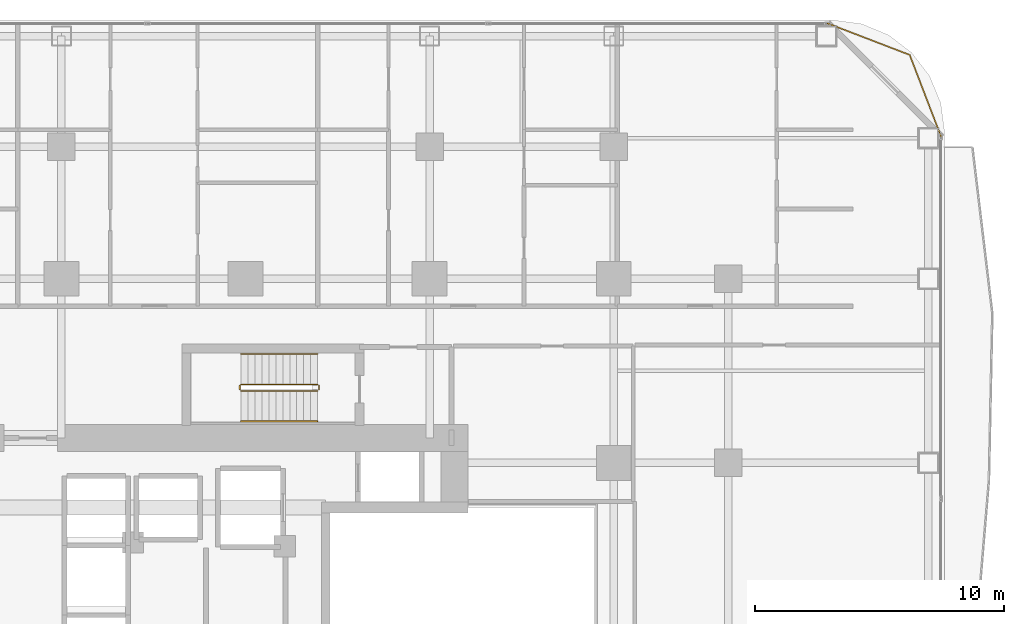
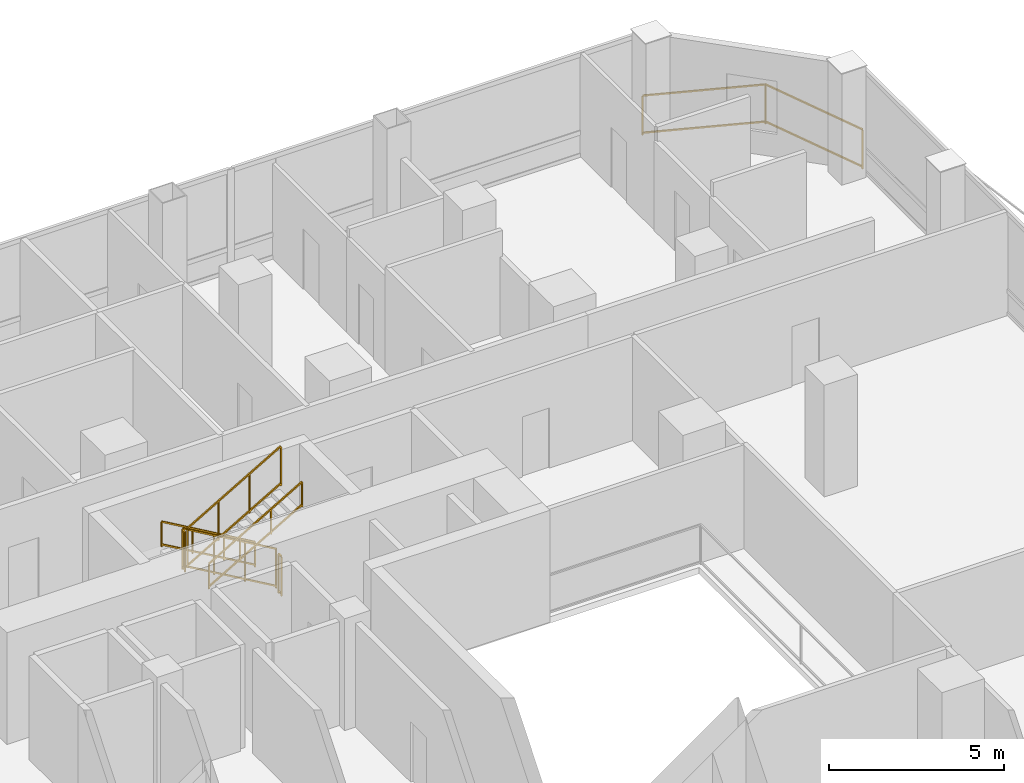
# One storey, part 27 of 27: 7 railings.
"""IFC4 building model written with IfcOpenShell, lengths in metres."""

from ifc_helpers import new_model, si_unit, direction, frame, origin, origin_2d, place, context, subcontext, project, spatial, rectangle, extrude, material, type_object, element, save


model = new_model("IFC4")

# Units and contexts
model_context = context("Model", 3, precision=1e-05, world=origin(), true_north=direction((0.0, 1.0)))
body_context = subcontext(model_context, "Body", "Model", "MODEL_VIEW")
ifc_project = project(units=[si_unit("LENGTHUNIT", "METRE"), si_unit("AREAUNIT", "SQUARE_METRE"), si_unit("VOLUMEUNIT", "CUBIC_METRE"), si_unit("PLANEANGLEUNIT", "RADIAN"), si_unit("MASSUNIT", "GRAM", prefix="KILO")], contexts=[model_context])

# Site, building, storey
site_placement = place(None, origin())
site = spatial("IfcSite", under=ifc_project, at=site_placement, CompositionType="ELEMENT")
building_placement = place(site_placement, origin())
building = spatial("IfcBuilding", under=site, at=building_placement, Name="Khorvyn Point Tower", CompositionType="ELEMENT")
storey_placement = place(building_placement, frame((0.0, 0.0, 50.10009765625)))
storey = spatial("IfcBuildingStorey", under=building, at=storey_placement, Name="L13", CompositionType="ELEMENT", Elevation=50.10009765625)

# Railings
ifc_material_1 = material(Name="Anodised aluminium 6063-T6 and laminated safety glass", Category="aluminium")
railing_type_1 = type_object("IfcRailingType", Name="Laminated Glass and Aluminium Balcony Guardrail 1400", PredefinedType="BALUSTRADE", material=ifc_material_1)
railing_1_placement = place(storey_placement, frame((27.97412109375, 20.470703125, 0.0)))
element("IfcRailing", 1, at=railing_1_placement, inside=storey, type_object=railing_type_1, Name="L13 Rounded Corner Edge Guardrail NE", PredefinedType="BALUSTRADE", context=body_context, shape_type="SweptSolid", body=[
    extrude(rectangle(XDim=0.048095703125, YDim=0.048095703125, at=origin_2d()), frame((0.0, 0.0, 1.3759765625), z_axis=(-0.35841886047, 0.933560882031, 0.0), x_axis=(-0.933560882031, -0.35841886047, 0.0)), (0.0, 0.0, 1.0), 3.563232421875),
    extrude(rectangle(XDim=0.048095703125, YDim=0.048095703125, at=origin_2d()), frame((0.0, 0.0, 0.080078125), z_axis=(-0.35841886047, 0.933560882031, 0.0), x_axis=(-0.933560882031, -0.35841886047, 0.0)), (0.0, 0.0, 1.0), 3.563232421875),
    extrude(rectangle(XDim=0.048095703125, YDim=0.048095703125, at=origin_2d()), frame((-1.277099609375, 3.326416015625, 1.3759765625), z_axis=(-0.933575007025, 0.358382067435, 0.0), x_axis=(-0.358382067435, -0.933575007025, 0.0)), (0.0, 0.0, 1.0), 3.562744140625),
    extrude(rectangle(XDim=0.048095703125, YDim=0.048095703125, at=origin_2d()), frame((-1.277099609375, 3.326416015625, 0.080078125), z_axis=(-0.933575007025, 0.358382067435, 0.0), x_axis=(-0.358382067435, -0.933575007025, 0.0)), (0.0, 0.0, 1.0), 3.562744140625),
    extrude(rectangle(XDim=0.0419921875, YDim=0.0419921875, at=origin_2d()), origin(), (0.0, 0.0, 1.0), 1.351806640625),
    extrude(rectangle(XDim=0.0419921875, YDim=0.0419921875, at=origin_2d()), frame((-1.277099609375, 3.326416015625, 0.0)), (0.0, 0.0, 1.0), 1.351806640625),
    extrude(rectangle(XDim=0.0419921875, YDim=0.0419921875, at=origin_2d()), frame((-4.603271484375, 4.603271484375, 0.0)), (0.0, 0.0, 1.0), 1.351806640625),
])
ifc_material_2 = material(Name="Stainless steel 1.4301", Category="steel")
railing_type_2 = type_object("IfcRailingType", Name="Stainless Steel 304 Stair Pitch Handrail 900", PredefinedType="HANDRAIL", material=ifc_material_2)
railing_2_placement = place(storey_placement, frame((2.89990234375, 11.77001953125, 0.162353515625)))
element("IfcRailing", 2, at=railing_2_placement, inside=storey, type_object=railing_type_2, Name="L13 ST-02 stair handrail 1", PredefinedType="HANDRAIL", context=body_context, shape_type="SweptSolid", body=[
    extrude(rectangle(XDim=0.048095703125, YDim=0.048095703125, at=origin_2d()), frame((0.0, 0.0, 0.8759765625), z_axis=(-0.864873446163, 0.0, 0.501989962173), x_axis=(0.0, -1.0, 0.0)), (0.0, 0.0, 1.0), 3.56103515625),
    extrude(rectangle(XDim=0.048095703125, YDim=0.048095703125, at=origin_2d()), frame((0.0, 0.0, 0.080078125), z_axis=(-0.864873446163, 0.0, 0.501989962173), x_axis=(0.0, -1.0, 0.0)), (0.0, 0.0, 1.0), 3.56103515625),
    extrude(rectangle(XDim=0.0419921875, YDim=0.0419921875, at=origin_2d()), origin(), (0.0, 0.0, 1.0), 0.851806640625),
    extrude(rectangle(XDim=0.0419921875, YDim=0.0419921875, at=origin_2d()), frame((-1.026611328125, 0.0, 0.595947265625)), (0.0, 0.0, 1.0), 0.851806640625),
    extrude(rectangle(XDim=0.0419921875, YDim=0.0419921875, at=origin_2d()), frame((-2.05322265625, 0.0, 1.191650390625)), (0.0, 0.0, 1.0), 0.851806640625),
    extrude(rectangle(XDim=0.0419921875, YDim=0.0419921875, at=origin_2d()), frame((-3.079833984375, 0.0, 1.78759765625)), (0.0, 0.0, 1.0), 0.851806640625),
])
railing_3_placement = place(storey_placement, frame((-0.179931640625, 9.070068359375, 2.1123046875)))
element("IfcRailing", 3, at=railing_3_placement, inside=storey, type_object=railing_type_2, Name="L13 ST-02 stair handrail 2", PredefinedType="HANDRAIL", context=body_context, shape_type="SweptSolid", body=[
    extrude(rectangle(XDim=0.048095703125, YDim=0.048095703125, at=origin_2d()), frame((0.0, 0.0, 0.8759765625), z_axis=(0.864873446163, 0.0, 0.501989962173), x_axis=(0.0, 1.0, 0.0)), (0.0, 0.0, 1.0), 3.56103515625),
    extrude(rectangle(XDim=0.048095703125, YDim=0.048095703125, at=origin_2d()), frame((0.0, 0.0, 0.080078125), z_axis=(0.864873446163, 0.0, 0.501989962173), x_axis=(0.0, 1.0, 0.0)), (0.0, 0.0, 1.0), 3.56103515625),
    extrude(rectangle(XDim=0.0419921875, YDim=0.0419921875, at=origin_2d()), origin(), (0.0, 0.0, 1.0), 0.851806640625),
    extrude(rectangle(XDim=0.0419921875, YDim=0.0419921875, at=origin_2d()), frame((1.026611328125, 0.0, 0.595947265625)), (0.0, 0.0, 1.0), 0.851806640625),
    extrude(rectangle(XDim=0.0419921875, YDim=0.0419921875, at=origin_2d()), frame((2.05322265625, 0.0, 1.191650390625)), (0.0, 0.0, 1.0), 0.851806640625),
    extrude(rectangle(XDim=0.0419921875, YDim=0.0419921875, at=origin_2d()), frame((3.079833984375, 0.0, 1.78759765625)), (0.0, 0.0, 1.0), 0.851806640625),
])
railing_type_3 = type_object("IfcRailingType", Name="Stainless Steel 304 Stair Well Guardrail 1400", PredefinedType="GUARDRAIL", material=ifc_material_2)
railing_4_placement = place(storey_placement, frame((2.89990234375, 10.550048828125, 0.162353515625)))
element("IfcRailing", 4, at=railing_4_placement, inside=storey, type_object=railing_type_3, Name="L13 ST-02 stair guard 1", PredefinedType="GUARDRAIL", context=body_context, shape_type="SweptSolid", body=[
    extrude(rectangle(XDim=0.048095703125, YDim=0.048095703125, at=origin_2d()), frame((0.0, 0.0, 1.3759765625), z_axis=(-0.864873446163, 0.0, 0.501989962173), x_axis=(0.0, -1.0, 0.0)), (0.0, 0.0, 1.0), 3.56103515625),
    extrude(rectangle(XDim=0.048095703125, YDim=0.048095703125, at=origin_2d()), frame((0.0, 0.0, 0.080078125), z_axis=(-0.864873446163, 0.0, 0.501989962173), x_axis=(0.0, -1.0, 0.0)), (0.0, 0.0, 1.0), 3.56103515625),
    extrude(rectangle(XDim=0.0419921875, YDim=0.0419921875, at=origin_2d()), origin(), (0.0, 0.0, 1.0), 1.351806640625),
    extrude(rectangle(XDim=0.0419921875, YDim=0.0419921875, at=origin_2d()), frame((-1.026611328125, 0.0, 0.595947265625)), (0.0, 0.0, 1.0), 1.351806640625),
    extrude(rectangle(XDim=0.0419921875, YDim=0.0419921875, at=origin_2d()), frame((-2.05322265625, 0.0, 1.191650390625)), (0.0, 0.0, 1.0), 1.351806640625),
    extrude(rectangle(XDim=0.0419921875, YDim=0.0419921875, at=origin_2d()), frame((-3.079833984375, 0.0, 1.78759765625)), (0.0, 0.0, 1.0), 1.351806640625),
])
railing_5_placement = place(storey_placement, frame((-0.22998046875, 10.5, 1.949951171875)))
element("IfcRailing", 5, at=railing_5_placement, inside=storey, type_object=railing_type_3, Name="L13 ST-02 stair guard 2", PredefinedType="GUARDRAIL", context=body_context, shape_type="SweptSolid", body=[
    extrude(rectangle(XDim=0.048095703125, YDim=0.048095703125, at=origin_2d()), frame((0.0, 0.0, 1.3759765625), z_axis=(0.0, -1.0, 0.0), x_axis=(1.0, 0.0, 0.0)), (0.0, 0.0, 1.0), 0.159912109375),
    extrude(rectangle(XDim=0.048095703125, YDim=0.048095703125, at=origin_2d()), frame((0.0, 0.0, 0.080078125), z_axis=(0.0, -1.0, 0.0), x_axis=(1.0, 0.0, 0.0)), (0.0, 0.0, 1.0), 0.159912109375),
    extrude(rectangle(XDim=0.0419921875, YDim=0.0419921875, at=origin_2d()), origin(), (0.0, 0.0, 1.0), 1.351806640625),
    extrude(rectangle(XDim=0.0419921875, YDim=0.0419921875, at=origin_2d()), frame((0.0, -0.159912109375, 0.0)), (0.0, 0.0, 1.0), 1.351806640625),
])
railing_6_placement = place(storey_placement, frame((-0.179931640625, 10.2900390625, 2.1123046875)))
element("IfcRailing", 6, at=railing_6_placement, inside=storey, type_object=railing_type_3, Name="L13 ST-02 stair guard 3", PredefinedType="GUARDRAIL", context=body_context, shape_type="SweptSolid", body=[
    extrude(rectangle(XDim=0.048095703125, YDim=0.048095703125, at=origin_2d()), frame((0.0, 0.0, 1.3759765625), z_axis=(0.864873446163, 0.0, 0.501989962173), x_axis=(0.0, 1.0, 0.0)), (0.0, 0.0, 1.0), 3.56103515625),
    extrude(rectangle(XDim=0.048095703125, YDim=0.048095703125, at=origin_2d()), frame((0.0, 0.0, 0.080078125), z_axis=(0.864873446163, 0.0, 0.501989962173), x_axis=(0.0, 1.0, 0.0)), (0.0, 0.0, 1.0), 3.56103515625),
    extrude(rectangle(XDim=0.0419921875, YDim=0.0419921875, at=origin_2d()), origin(), (0.0, 0.0, 1.0), 1.351806640625),
    extrude(rectangle(XDim=0.0419921875, YDim=0.0419921875, at=origin_2d()), frame((1.026611328125, 0.0, 0.595947265625)), (0.0, 0.0, 1.0), 1.351806640625),
    extrude(rectangle(XDim=0.0419921875, YDim=0.0419921875, at=origin_2d()), frame((2.05322265625, 0.0, 1.191650390625)), (0.0, 0.0, 1.0), 1.351806640625),
    extrude(rectangle(XDim=0.0419921875, YDim=0.0419921875, at=origin_2d()), frame((3.079833984375, 0.0, 1.78759765625)), (0.0, 0.0, 1.0), 1.351806640625),
])
railing_7_placement = place(storey_placement, frame((2.949951171875, 10.5, 0.0)))
element("IfcRailing", 7, at=railing_7_placement, inside=storey, type_object=railing_type_3, Name="L13 ST-02 stair guard 4", PredefinedType="GUARDRAIL", context=body_context, shape_type="SweptSolid", body=[
    extrude(rectangle(XDim=0.048095703125, YDim=0.048095703125, at=origin_2d()), frame((0.0, 0.0, 1.3759765625), z_axis=(0.0, -1.0, 0.0), x_axis=(1.0, 0.0, 0.0)), (0.0, 0.0, 1.0), 0.159912109375),
    extrude(rectangle(XDim=0.048095703125, YDim=0.048095703125, at=origin_2d()), frame((0.0, 0.0, 0.080078125), z_axis=(0.0, -1.0, 0.0), x_axis=(1.0, 0.0, 0.0)), (0.0, 0.0, 1.0), 0.159912109375),
    extrude(rectangle(XDim=0.0419921875, YDim=0.0419921875, at=origin_2d()), origin(), (0.0, 0.0, 1.0), 1.351806640625),
    extrude(rectangle(XDim=0.0419921875, YDim=0.0419921875, at=origin_2d()), frame((0.0, -0.159912109375, 0.0)), (0.0, 0.0, 1.0), 1.351806640625),
])

save(model, "model.ifc")
